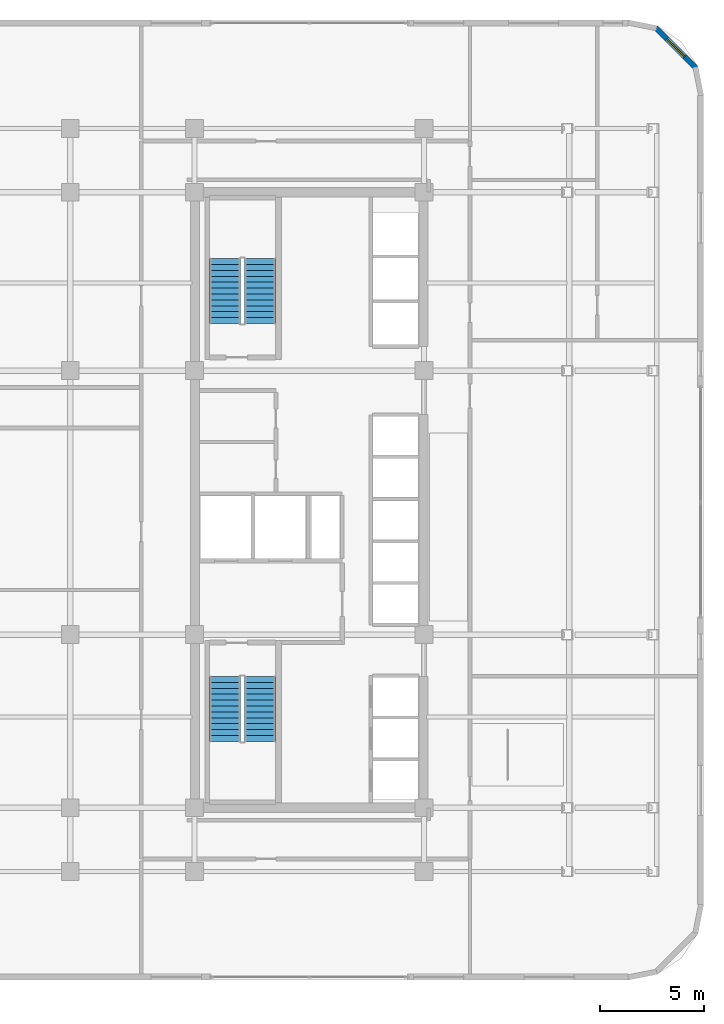
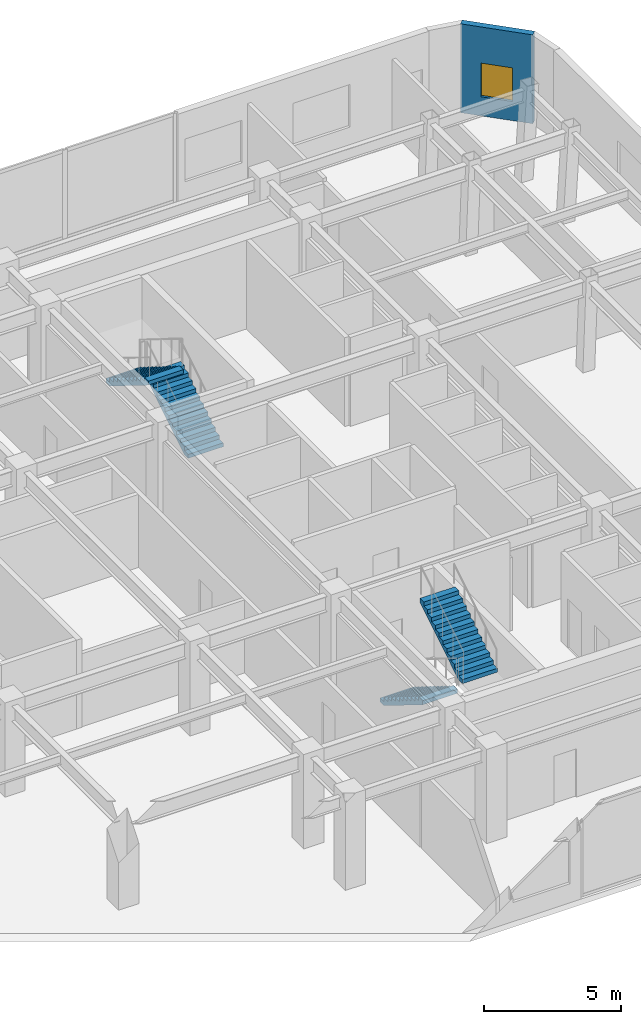
# One storey, part 11 of 13: 4 stair flights, 1 wall, 1 window, 1 opening, 2 elements without a shape of their own.
"""IFC4 building model written with IfcOpenShell, lengths in metres."""

from ifc_helpers import new_model, si_unit, direction, frame, frame_2d, origin, place, context, subcontext, project, spatial, polyline, rectangle, outline, extrude, material, layer, layer_set, type_object, element, fill, aggregate, save


model = new_model("IFC4")

# Units and contexts
model_context = context("Model", 3, precision=1e-05, world=origin(), true_north=direction((0.0, 1.0)))
body_context = subcontext(model_context, "Body", "Model", "MODEL_VIEW")
ifc_project = project(units=[si_unit("LENGTHUNIT", "METRE"), si_unit("AREAUNIT", "SQUARE_METRE"), si_unit("VOLUMEUNIT", "CUBIC_METRE"), si_unit("PLANEANGLEUNIT", "RADIAN"), si_unit("MASSUNIT", "GRAM", prefix="KILO")], contexts=[model_context])

# Site, building, storey
site_placement = place(None, origin())
site = spatial("IfcSite", under=ifc_project, at=site_placement, CompositionType="ELEMENT")
building_placement = place(site_placement, origin())
building = spatial("IfcBuilding", under=site, at=building_placement, Name="Ochreholt Gables", CompositionType="ELEMENT")
storey_placement = place(building_placement, frame((0.0, 0.0, 60.0)))
storey = spatial("IfcBuildingStorey", under=building, at=storey_placement, Name="L15", CompositionType="ELEMENT", Elevation=60.0)

# Wall, opening, window
ifc_material_1 = material(Name="Precast concrete 40 MPa", Category="concrete")
ifc_layer = layer(ifc_material_1, 0.25, Name="Precast concrete 40 MPa")
ifc_layer_set = layer_set([ifc_layer], Name="Precast concrete 40 MPa")
wall_type = type_object("IfcWallType", Name="WALL-EXT-CNR", PredefinedType="SOLIDWALL", material=ifc_layer_set)
wall_placement = place(storey_placement, frame((48.23193359375, 44.695068359375, 0.0), z_axis=(0.0, 0.0, 1.0), x_axis=(-0.707106781187, 0.707106781187, 0.0)))
wall = element("IfcWall", 1, at=wall_placement, inside=storey, type_object=wall_type, Name="L15 Rounded Corner Wall NE-2", PredefinedType="SOLIDWALL", context=body_context, shape_type="SweptSolid", body=[
    extrude(rectangle(XDim=2.7392578125, YDim=0.25, at=frame_2d((1.36962890625, 0.0))), origin(), (0.0, 0.0, 1.0), 3.9599609375),
])
opening_placement = place(wall_placement, frame((0.769775390625, 0.0, 0.85009765625)))
opening = element("IfcOpeningElement", 2, at=opening_placement, cuts=wall, Name="Opening WN-3", PredefinedType="OPENING", context=body_context, shape_type="SweptSolid", body=[
    extrude(rectangle(XDim=1.199951171875, YDim=1.5, at=frame_2d((0.60009765625, 0.75))), frame((0.0, 0.135009765625, 0.0), z_axis=(0.0, -1.0, 0.0), x_axis=(1.0, 0.0, 0.0)), (0.0, 0.0, 1.0), 0.27001953125),
])
ifc_material_2 = material(Name="Triple-Glazed Thermally Broken Aluminium Window", Category="aluminium")
window_type = type_object("IfcWindowType", Name="WIN-RES-1200", PartitioningType="SINGLE_PANEL", PredefinedType="WINDOW", material=ifc_material_2)
window_placement = place(opening_placement, origin())
window = element("IfcWindow", 3, at=window_placement, inside=storey, type_object=window_type, Name="L15 Corner Bedroom Window NE", OverallHeight=1.5, OverallWidth=1.199951171875, PartitioningType="SINGLE_PANEL", PredefinedType="WINDOW", context=body_context, shape_type="SweptSolid", body=[
    extrude(rectangle(XDim=1.199951171875, YDim=1.5, at=frame_2d((0.60009765625, 0.75))), frame((0.0, 0.030029296875, 0.0), z_axis=(0.0, -1.0, 0.0), x_axis=(1.0, 0.0, 0.0)), (0.0, 0.0, 1.0), 0.06005859375),
])
fill(opening, window)

# Stair, stair flights
ifc_material_3 = material(Name="Concrete 40 MPa", Category="concrete")
stair_type_1 = type_object("IfcStairType", Name="STAIR-CORE-ST-1", PredefinedType="HALF_TURN_STAIR", material=ifc_material_3)
stair_1_placement = place(storey_placement, origin())
stair_1 = element("IfcStair", 4, at=stair_1_placement, inside=storey, type_object=stair_type_1, Name="L15 Core Exit Stair 1", PredefinedType="HALF_TURN_STAIR")
stair_flight_type = type_object("IfcStairFlightType", Name="FLIGHT-ST-1480-1750", PredefinedType="STRAIGHT", material=ifc_material_3)
stair_flight_1_placement = place(storey_placement, frame((25.659912109375, 15.5400390625, 0.0), z_axis=(0.0, 0.0, 1.0), x_axis=(0.0, -1.0, 0.0)))
stair_flight_1 = element("IfcStairFlight", 5, at=stair_flight_1_placement, type_object=stair_flight_type, Name="ST-1 flight 1", NumberOfRisers=12, NumberOfTreads=11, PredefinedType="STRAIGHT", RiserHeight=0.175, TreadLength=0.282, context=body_context, shape_type="SweptSolid", body=[
    extrude(outline(polyline([(0.0, 0.0), (0.0, 0.175048828125), (0.281982421875, 0.175048828125), (0.281982421875, 0.35009765625), (0.56396484375, 0.35009765625), (0.56396484375, 0.52490234375), (0.845947265625, 0.52490234375), (0.845947265625, 0.699951171875), (1.1279296875, 0.699951171875), (1.1279296875, 0.875), (1.409912109375, 0.875), (1.409912109375, 1.050048828125), (1.69189453125, 1.050048828125), (1.69189453125, 1.22509765625), (1.97412109375, 1.22509765625), (1.97412109375, 1.39990234375), (2.256103515625, 1.39990234375), (2.256103515625, 1.574951171875), (2.5380859375, 1.574951171875), (2.5380859375, 1.75), (2.820068359375, 1.75), (2.820068359375, 1.925048828125), (3.10205078125, 1.925048828125), (3.10205078125, 2.10009765625), (3.10205078125, 1.74853515625), (0.2841796875, 0.0), (0.0, 0.0)])), frame((0.0, 0.739990234375, 0.0), z_axis=(0.0, -1.0, 0.0), x_axis=(1.0, 0.0, 0.0)), (0.0, 0.0, 1.0), 1.47998046875),
])
stair_flight_2_placement = place(storey_placement, frame((27.340087890625, 12.43798828125, 2.10009765625), z_axis=(0.0, 0.0, 1.0), x_axis=(0.0, 1.0, 0.0)))
stair_flight_2 = element("IfcStairFlight", 6, at=stair_flight_2_placement, type_object=stair_flight_type, Name="ST-1 flight 2", NumberOfRisers=12, NumberOfTreads=11, PredefinedType="STRAIGHT", RiserHeight=0.175, TreadLength=0.282, context=body_context, shape_type="SweptSolid", body=[
    extrude(outline(polyline([(0.0, 0.0), (0.0, 0.175048828125), (0.281982421875, 0.175048828125), (0.281982421875, 0.35009765625), (0.56396484375, 0.35009765625), (0.56396484375, 0.52490234375), (0.845947265625, 0.52490234375), (0.845947265625, 0.699951171875), (1.1279296875, 0.699951171875), (1.1279296875, 0.875), (1.409912109375, 0.875), (1.409912109375, 1.050048828125), (1.69189453125, 1.050048828125), (1.69189453125, 1.22509765625), (1.97412109375, 1.22509765625), (1.97412109375, 1.39990234375), (2.256103515625, 1.39990234375), (2.256103515625, 1.574951171875), (2.5380859375, 1.574951171875), (2.5380859375, 1.75), (2.820068359375, 1.75), (2.820068359375, 1.925048828125), (3.10205078125, 1.925048828125), (3.10205078125, 2.10009765625), (3.10205078125, 1.74853515625), (0.2841796875, 0.0), (0.0, 0.0)])), frame((0.0, 0.739990234375, 0.0), z_axis=(0.0, -1.0, 0.0), x_axis=(1.0, 0.0, 0.0)), (0.0, 0.0, 1.0), 1.47998046875),
])
aggregate(stair_1, [stair_flight_1, stair_flight_2])

stair_type_2 = type_object("IfcStairType", Name="STAIR-CORE-ST-2", PredefinedType="HALF_TURN_STAIR", material=ifc_material_3)
stair_2_placement = place(storey_placement, origin())
stair_2 = element("IfcStair", 7, at=stair_2_placement, inside=storey, type_object=stair_type_2, Name="L15 Core Exit Stair 2", PredefinedType="HALF_TURN_STAIR")
stair_flight_3_placement = place(storey_placement, frame((27.340087890625, 32.4599609375, 0.0), z_axis=(0.0, 0.0, 1.0), x_axis=(0.0, 1.0, 0.0)))
stair_flight_3 = element("IfcStairFlight", 8, at=stair_flight_3_placement, type_object=stair_flight_type, Name="ST-2 flight 1", NumberOfRisers=12, NumberOfTreads=11, PredefinedType="STRAIGHT", RiserHeight=0.175, TreadLength=0.282, context=body_context, shape_type="SweptSolid", body=[
    extrude(outline(polyline([(0.0, 0.0), (0.0, 0.175048828125), (0.281982421875, 0.175048828125), (0.281982421875, 0.35009765625), (0.56396484375, 0.35009765625), (0.56396484375, 0.52490234375), (0.845947265625, 0.52490234375), (0.845947265625, 0.699951171875), (1.1279296875, 0.699951171875), (1.1279296875, 0.875), (1.409912109375, 0.875), (1.409912109375, 1.050048828125), (1.69189453125, 1.050048828125), (1.69189453125, 1.22509765625), (1.97412109375, 1.22509765625), (1.97412109375, 1.39990234375), (2.256103515625, 1.39990234375), (2.256103515625, 1.574951171875), (2.5380859375, 1.574951171875), (2.5380859375, 1.75), (2.820068359375, 1.75), (2.820068359375, 1.925048828125), (3.10205078125, 1.925048828125), (3.10205078125, 2.10009765625), (3.10205078125, 1.74853515625), (0.2841796875, 0.0), (0.0, 0.0)])), frame((0.0, 0.739990234375, 0.0), z_axis=(0.0, -1.0, 0.0), x_axis=(1.0, 0.0, 0.0)), (0.0, 0.0, 1.0), 1.47998046875),
])
stair_flight_4_placement = place(storey_placement, frame((25.659912109375, 35.56201171875, 2.10009765625), z_axis=(0.0, 0.0, 1.0), x_axis=(0.0, -1.0, 0.0)))
stair_flight_4 = element("IfcStairFlight", 9, at=stair_flight_4_placement, type_object=stair_flight_type, Name="ST-2 flight 2", NumberOfRisers=12, NumberOfTreads=11, PredefinedType="STRAIGHT", RiserHeight=0.175, TreadLength=0.282, context=body_context, shape_type="SweptSolid", body=[
    extrude(outline(polyline([(0.0, 0.0), (0.0, 0.175048828125), (0.281982421875, 0.175048828125), (0.281982421875, 0.35009765625), (0.56396484375, 0.35009765625), (0.56396484375, 0.52490234375), (0.845947265625, 0.52490234375), (0.845947265625, 0.699951171875), (1.1279296875, 0.699951171875), (1.1279296875, 0.875), (1.409912109375, 0.875), (1.409912109375, 1.050048828125), (1.69189453125, 1.050048828125), (1.69189453125, 1.22509765625), (1.97412109375, 1.22509765625), (1.97412109375, 1.39990234375), (2.256103515625, 1.39990234375), (2.256103515625, 1.574951171875), (2.5380859375, 1.574951171875), (2.5380859375, 1.75), (2.820068359375, 1.75), (2.820068359375, 1.925048828125), (3.10205078125, 1.925048828125), (3.10205078125, 2.10009765625), (3.10205078125, 1.74853515625), (0.2841796875, 0.0), (0.0, 0.0)])), frame((0.0, 0.739990234375, 0.0), z_axis=(0.0, -1.0, 0.0), x_axis=(1.0, 0.0, 0.0)), (0.0, 0.0, 1.0), 1.47998046875),
])
aggregate(stair_2, [stair_flight_3, stair_flight_4])

save(model, "model.ifc")
